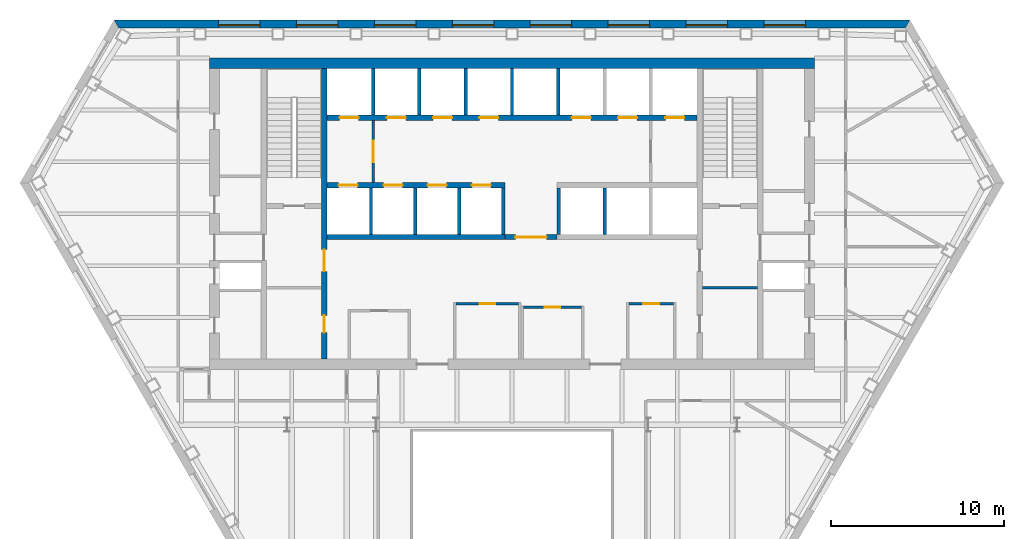
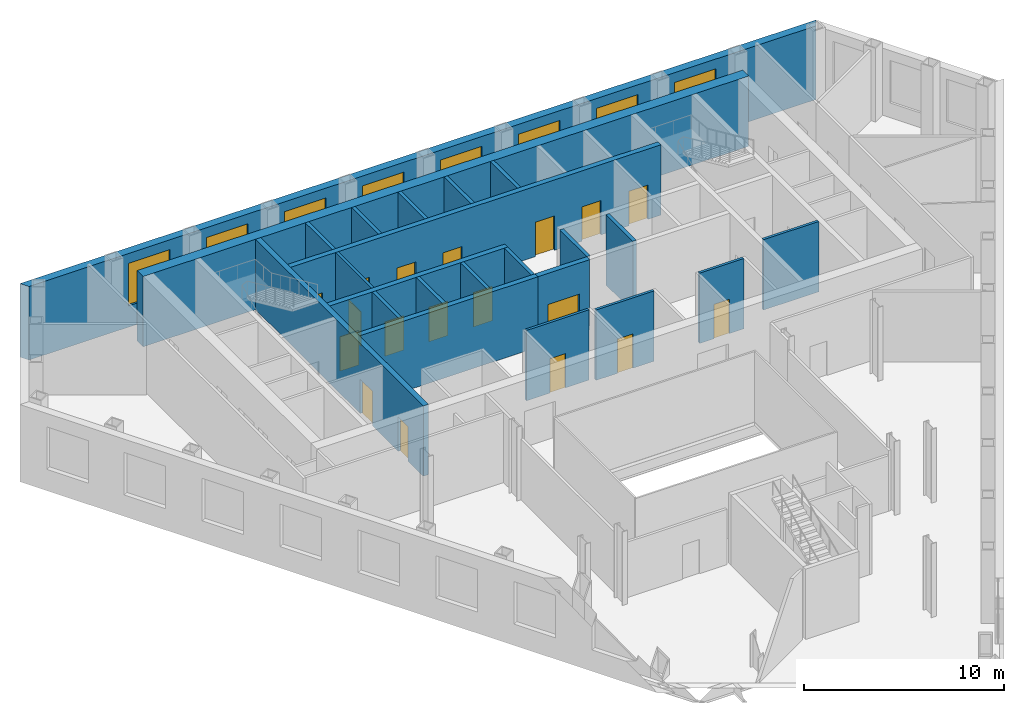
# One storey, part 6 of 10: 23 walls, 18 doors, 8 windows, 26 openings.
"""IFC4 building model written with IfcOpenShell, lengths in metres."""

from ifc_helpers import new_model, si_unit, direction, frame, frame_2d, origin, place, context, subcontext, project, spatial, polyline, rectangle, outline, extrude, material, layer, layer_set, type_object, element, fill, save


model = new_model("IFC4")

# Units and contexts
model_context = context("Model", 3, precision=1e-05, world=origin(), true_north=direction((0.0, 1.0)))
body_context = subcontext(model_context, "Body", "Model", "MODEL_VIEW")
ifc_project = project(units=[si_unit("LENGTHUNIT", "METRE"), si_unit("AREAUNIT", "SQUARE_METRE"), si_unit("VOLUMEUNIT", "CUBIC_METRE"), si_unit("PLANEANGLEUNIT", "RADIAN"), si_unit("MASSUNIT", "GRAM", prefix="KILO")], contexts=[model_context])

# Site, building, storey
site_placement = place(None, origin())
site = spatial("IfcSite", under=ifc_project, at=site_placement, CompositionType="ELEMENT")
building_placement = place(site_placement, origin())
building = spatial("IfcBuilding", under=site, at=building_placement, Name="Njiva Tower", CompositionType="ELEMENT")
storey_placement = place(building_placement, frame((0.0, 0.0, 73.8)))
storey = spatial("IfcBuildingStorey", under=building, at=storey_placement, Name="L15", CompositionType="ELEMENT", Elevation=73.8)

# Wall
ifc_material_1 = material(Name="Blockwork", Category="masonry")
ifc_layer_1 = layer(ifc_material_1, 0.15)
ifc_layer_set_1 = layer_set([ifc_layer_1], Name="Blockwork")
wall_type_1 = type_object("IfcWallType", Name="WT1 Compartment partition 150", PredefinedType="PARTITIONING", material=ifc_layer_set_1)
wall_1_placement = place(storey_placement, frame((11.0, 4.725, 0.0), z_axis=(0.0, 0.0, 1.0), x_axis=(1.0, 0.0, 0.0)))
element("IfcWall", 1, at=wall_1_placement, inside=storey, type_object=wall_type_1, Name="Room wall B", PredefinedType="PARTITIONING", context=body_context, shape_type="SweptSolid", body=[
    extrude(rectangle(XDim=3.2, YDim=0.15, at=frame_2d((1.6, 0.0))), origin(), (0.0, 0.0, 1.0), 4.3),
])

# Wall, opening, door
wall_2_placement = place(storey_placement, frame((-3.225, 3.8, 0.0), z_axis=(0.0, 0.0, 1.0), x_axis=(1.0, 0.0, 0.0)))
wall_2 = element("IfcWall", 2, at=wall_2_placement, inside=storey, type_object=wall_type_1, Name="Information office wall north", PredefinedType="PARTITIONING", context=body_context, shape_type="SweptSolid", body=[
    extrude(rectangle(XDim=3.6, YDim=0.15, at=frame_2d((1.8, 0.0))), origin(), (0.0, 0.0, 1.0), 4.3),
])
opening_1_placement = place(wall_2_placement, frame((1.35, 0.0, 0.0)))
opening_1 = element("IfcOpeningElement", 3, at=opening_1_placement, cuts=wall_2, Name="Opening S05-D933", PredefinedType="OPENING", context=body_context, shape_type="SweptSolid", body=[
    extrude(rectangle(XDim=0.9, YDim=2.1, at=frame_2d((0.45, 1.05))), frame((0.0, 0.085, 0.0), z_axis=(0.0, -1.0, 0.0), x_axis=(1.0, 0.0, 0.0)), (0.0, 0.0, 1.0), 0.17),
])
ifc_material_2 = material(Name="Steel fire door, painted", Category="steel")
door_type_1 = type_object("IfcDoorType", Name="D6 Fire-rated door 900x2100", OperationType="SINGLE_SWING_LEFT", PredefinedType="DOOR", material=ifc_material_2)
door_1_placement = place(opening_1_placement, origin())
door_1 = element("IfcDoor", 4, at=door_1_placement, inside=storey, type_object=door_type_1, Name="Information office door", OperationType="SINGLE_SWING_LEFT", OverallHeight=2.1, OverallWidth=0.9, PredefinedType="DOOR", context=body_context, shape_type="SweptSolid", body=[
    extrude(rectangle(XDim=0.9, YDim=2.1, at=frame_2d((0.45, 1.05))), frame((0.0, 0.025, 0.0), z_axis=(0.0, -1.0, 0.0), x_axis=(1.0, 0.0, 0.0)), (0.0, 0.0, 1.0), 0.05),
])
fill(opening_1, door_1)

wall_3_placement = place(storey_placement, frame((0.675, 3.6, 0.0), z_axis=(0.0, 0.0, 1.0), x_axis=(1.0, 0.0, 0.0)))
wall_3 = element("IfcWall", 5, at=wall_3_placement, inside=storey, type_object=wall_type_1, Name="Tenant reception wall north", PredefinedType="PARTITIONING", context=body_context, shape_type="SweptSolid", body=[
    extrude(rectangle(XDim=3.35, YDim=0.15, at=frame_2d((1.675, 0.0))), origin(), (0.0, 0.0, 1.0), 4.3),
])
opening_2_placement = place(wall_3_placement, frame((1.225, 0.0, 0.0)))
opening_2 = element("IfcOpeningElement", 6, at=opening_2_placement, cuts=wall_3, Name="Opening S05-D934", PredefinedType="OPENING", context=body_context, shape_type="SweptSolid", body=[
    extrude(rectangle(XDim=0.9, YDim=2.1, at=frame_2d((0.45, 1.05))), frame((0.0, 0.085, 0.0), z_axis=(0.0, -1.0, 0.0), x_axis=(1.0, 0.0, 0.0)), (0.0, 0.0, 1.0), 0.17),
])
door_2_placement = place(opening_2_placement, origin())
door_2 = element("IfcDoor", 7, at=door_2_placement, inside=storey, type_object=door_type_1, Name="Tenant reception door", OperationType="SINGLE_SWING_LEFT", OverallHeight=2.1, OverallWidth=0.9, PredefinedType="DOOR", context=body_context, shape_type="SweptSolid", body=[
    extrude(rectangle(XDim=0.9, YDim=2.1, at=frame_2d((0.45, 1.05))), frame((0.0, 0.025, 0.0), z_axis=(0.0, -1.0, 0.0), x_axis=(1.0, 0.0, 0.0)), (0.0, 0.0, 1.0), 0.05),
])
fill(opening_2, door_2)

wall_4_placement = place(storey_placement, frame((6.775, 3.8, 0.0), z_axis=(0.0, 0.0, 1.0), x_axis=(1.0, 0.0, 0.0)))
wall_4 = element("IfcWall", 8, at=wall_4_placement, inside=storey, type_object=wall_type_1, Name="Waiting room wall north", PredefinedType="PARTITIONING", context=body_context, shape_type="SweptSolid", body=[
    extrude(rectangle(XDim=2.55, YDim=0.15, at=frame_2d((1.275, 0.0))), origin(), (0.0, 0.0, 1.0), 4.3),
])
opening_3_placement = place(wall_4_placement, frame((0.825, 0.0, 0.0)))
opening_3 = element("IfcOpeningElement", 9, at=opening_3_placement, cuts=wall_4, Name="Opening S05-D935", PredefinedType="OPENING", context=body_context, shape_type="SweptSolid", body=[
    extrude(rectangle(XDim=0.9, YDim=2.1, at=frame_2d((0.45, 1.05))), frame((0.0, 0.085, 0.0), z_axis=(0.0, -1.0, 0.0), x_axis=(1.0, 0.0, 0.0)), (0.0, 0.0, 1.0), 0.17),
])
door_3_placement = place(opening_3_placement, origin())
door_3 = element("IfcDoor", 10, at=door_3_placement, inside=storey, type_object=door_type_1, Name="Waiting room door", OperationType="SINGLE_SWING_RIGHT", OverallHeight=2.1, OverallWidth=0.9, PredefinedType="DOOR", context=body_context, shape_type="SweptSolid", body=[
    extrude(rectangle(XDim=0.9, YDim=2.1, at=frame_2d((0.45, 1.05))), frame((0.0, 0.025, 0.0), z_axis=(0.0, -1.0, 0.0), x_axis=(1.0, 0.0, 0.0)), (0.0, 0.0, 1.0), 0.05),
])
fill(opening_3, door_3)

# Wall, openings, doors
ifc_material_3 = material(Name="Concrete C40/50", Category="concrete")
ifc_layer_2 = layer(ifc_material_3, 0.3)
ifc_layer_set_2 = layer_set([ifc_layer_2], Name="Concrete C40/50")
wall_type_2 = type_object("IfcWallType", Name="WT10 Stair enclosure wall 300", PredefinedType="SHEAR", material=ifc_layer_set_2)
wall_5_placement = place(storey_placement, frame((-10.85, 0.6, 0.0), z_axis=(0.0, 0.0, 1.0), x_axis=(0.0, 1.0, 0.0)))
wall_5 = element("IfcWall", 11, at=wall_5_placement, inside=storey, type_object=wall_type_2, Name="Stair wall west inner", PredefinedType="SHEAR", context=body_context, shape_type="SweptSolid", body=[
    extrude(rectangle(XDim=16.8, YDim=0.3, at=frame_2d((8.4, 0.0))), origin(), (0.0, 0.0, 1.0), 4.3),
])
opening_4_placement = place(wall_5_placement, frame((5.075, 0.0, 0.0)))
opening_4 = element("IfcOpeningElement", 12, at=opening_4_placement, cuts=wall_5, Name="Opening S05-D914", PredefinedType="OPENING", context=body_context, shape_type="SweptSolid", body=[
    extrude(rectangle(XDim=1.25, YDim=2.1, at=frame_2d((0.625, 1.05))), frame((0.0, 0.16, 0.0), z_axis=(0.0, -1.0, 0.0), x_axis=(1.0, 0.0, 0.0)), (0.0, 0.0, 1.0), 0.32),
])
opening_5_placement = place(wall_5_placement, frame((1.525, 0.0, 0.0)))
opening_5 = element("IfcOpeningElement", 13, at=opening_5_placement, cuts=wall_5, Name="Opening S05-D915", PredefinedType="OPENING", context=body_context, shape_type="SweptSolid", body=[
    extrude(rectangle(XDim=1.0, YDim=2.1, at=frame_2d((0.5, 1.05))), frame((0.0, 0.16, 0.0), z_axis=(0.0, -1.0, 0.0), x_axis=(1.0, 0.0, 0.0)), (0.0, 0.0, 1.0), 0.32),
])
ifc_material_4 = material(Name="Steel door, painted", Category="steel")
door_type_2 = type_object("IfcDoorType", Name="D5 Steel door 1000x2100", OperationType="SINGLE_SWING_LEFT", PredefinedType="DOOR", material=ifc_material_4)
door_4_placement = place(opening_5_placement, origin())
door_4 = element("IfcDoor", 14, at=door_4_placement, inside=storey, type_object=door_type_2, Name="Breakout room door", OperationType="SINGLE_SWING_RIGHT", OverallHeight=2.1, OverallWidth=1.0, PredefinedType="DOOR", context=body_context, shape_type="SweptSolid", body=[
    extrude(rectangle(XDim=1.0, YDim=2.1, at=frame_2d((0.5, 1.05))), frame((0.0, 0.025, 0.0), z_axis=(0.0, -1.0, 0.0), x_axis=(1.0, 0.0, 0.0)), (0.0, 0.0, 1.0), 0.05),
])
fill(opening_5, door_4)
ifc_material_5 = material(Name="Glazed steel fire door", Category="steel")
door_type_3 = type_object("IfcDoorType", Name="D8 Vestibule corridor door 1250x2100 glazed", OperationType="SINGLE_SWING_LEFT", PredefinedType="DOOR", material=ifc_material_5)
door_5_placement = place(opening_4_placement, origin())
door_5 = element("IfcDoor", 15, at=door_5_placement, inside=storey, type_object=door_type_3, Name="Stair vestibule corridor door", OperationType="SINGLE_SWING_LEFT", OverallHeight=2.1, OverallWidth=1.25, PredefinedType="DOOR", context=body_context, shape_type="SweptSolid", body=[
    extrude(rectangle(XDim=1.25, YDim=2.1, at=frame_2d((0.625, 1.05))), frame((0.0, 0.025, 0.0), z_axis=(0.0, -1.0, 0.0), x_axis=(1.0, 0.0, 0.0)), (0.0, 0.0, 1.0), 0.05),
])
fill(opening_4, door_5)

# Wall
ifc_material_6 = material(Name="Concrete C60/75", Category="concrete")
ifc_layer_3 = layer(ifc_material_6, 0.6)
ifc_layer_set_3 = layer_set([ifc_layer_3], Name="Concrete C60/75")
wall_type_3 = type_object("IfcWallType", Name="WT15 Core wall 600", PredefinedType="SHEAR", material=ifc_layer_set_3)
wall_6_placement = place(storey_placement, frame((-17.5, 17.7, 0.0), z_axis=(0.0, 0.0, 1.0), x_axis=(1.0, 0.0, 0.0)))
element("IfcWall", 16, at=wall_6_placement, inside=storey, type_object=wall_type_3, Name="Core wall north", PredefinedType="SHEAR", context=body_context, shape_type="SweptSolid", body=[
    extrude(rectangle(XDim=35.0, YDim=0.6, at=frame_2d((17.5, 0.0))), origin(), (0.0, 0.0, 1.0), 4.3),
])

# Wall, opening, door
ifc_layer_4 = layer(ifc_material_1, 0.15)
ifc_layer_set_4 = layer_set([ifc_layer_4], Name="Blockwork")
wall_type_4 = type_object("IfcWallType", Name="WT2 Lobby partition 150", PredefinedType="PARTITIONING", material=ifc_layer_set_4)
wall_7_placement = place(storey_placement, frame((-8.025, 10.8, 0.0), z_axis=(0.0, 0.0, 1.0), x_axis=(0.0, 1.0, 0.0)))
wall_7 = element("IfcWall", 17, at=wall_7_placement, inside=storey, type_object=wall_type_4, Name="Firefighting lobby wall A", PredefinedType="PARTITIONING", context=body_context, shape_type="SweptSolid", body=[
    extrude(rectangle(XDim=3.6, YDim=0.15, at=frame_2d((1.8, 0.0))), origin(), (0.0, 0.0, 1.0), 4.3),
])
opening_6_placement = place(wall_7_placement, frame((1.175, 0.0, 0.0)))
opening_6 = element("IfcOpeningElement", 18, at=opening_6_placement, cuts=wall_7, Name="Opening S05-D912", PredefinedType="OPENING", context=body_context, shape_type="SweptSolid", body=[
    extrude(rectangle(XDim=1.25, YDim=2.1, at=frame_2d((0.625, 1.05))), frame((0.0, 0.085, 0.0), z_axis=(0.0, -1.0, 0.0), x_axis=(1.0, 0.0, 0.0)), (0.0, 0.0, 1.0), 0.17),
])
door_6_placement = place(opening_6_placement, origin())
door_6 = element("IfcDoor", 19, at=door_6_placement, inside=storey, type_object=door_type_3, Name="Stair vestibule corridor door", OperationType="SINGLE_SWING_RIGHT", OverallHeight=2.1, OverallWidth=1.25, PredefinedType="DOOR", context=body_context, shape_type="SweptSolid", body=[
    extrude(rectangle(XDim=1.25, YDim=2.1, at=frame_2d((0.625, 1.05))), frame((0.0, 0.025, 0.0), z_axis=(0.0, -1.0, 0.0), x_axis=(1.0, 0.0, 0.0)), (0.0, 0.0, 1.0), 0.05),
])
fill(opening_6, door_6)

ifc_layer_5 = layer(ifc_material_1, 0.3)
ifc_layer_set_5 = layer_set([ifc_layer_5], Name="Blockwork")
wall_type_5 = type_object("IfcWallType", Name="WT5 Lobby partition 300", PredefinedType="PARTITIONING", material=ifc_layer_set_5)
wall_8_placement = place(storey_placement, frame((-0.4, 7.65, 0.0), z_axis=(0.0, 0.0, 1.0), x_axis=(1.0, 0.0, 0.0)))
wall_8 = element("IfcWall", 20, at=wall_8_placement, inside=storey, type_object=wall_type_5, Name="Lift lobby screen wall", PredefinedType="PARTITIONING", context=body_context, shape_type="SweptSolid", body=[
    extrude(rectangle(XDim=3.0, YDim=0.3, at=frame_2d((1.5, 0.0))), origin(), (0.0, 0.0, 1.0), 4.3),
])
opening_7_placement = place(wall_8_placement, frame((0.6, 0.0, 0.0)))
opening_7 = element("IfcOpeningElement", 21, at=opening_7_placement, cuts=wall_8, Name="Opening S05-D936", PredefinedType="OPENING", context=body_context, shape_type="SweptSolid", body=[
    extrude(rectangle(XDim=1.8, YDim=2.4, at=frame_2d((0.9, 1.2))), frame((0.0, 0.16, 0.0), z_axis=(0.0, -1.0, 0.0), x_axis=(1.0, 0.0, 0.0)), (0.0, 0.0, 1.0), 0.32),
])
ifc_material_7 = material(Name="Steel and glass door", Category="steel")
door_type_4 = type_object("IfcDoorType", Name="D3 Core entrance door 1800x2400", OperationType="DOUBLE_DOOR_SINGLE_SWING", PredefinedType="DOOR", material=ifc_material_7)
door_7_placement = place(opening_7_placement, origin())
door_7 = element("IfcDoor", 22, at=door_7_placement, inside=storey, type_object=door_type_4, Name="Core entrance door", OperationType="DOUBLE_DOOR_SINGLE_SWING", OverallHeight=2.4, OverallWidth=1.8, PredefinedType="DOOR", context=body_context, shape_type="SweptSolid", body=[
    extrude(rectangle(XDim=1.8, YDim=2.4, at=frame_2d((0.9, 1.2))), frame((0.0, 0.025, 0.0), z_axis=(0.0, -1.0, 0.0), x_axis=(1.0, 0.0, 0.0)), (0.0, 0.0, 1.0), 0.05),
])
fill(opening_7, door_7)

# Walls
ifc_layer_6 = layer(ifc_material_3, 0.2)
ifc_layer_set_6 = layer_set([ifc_layer_6], Name="Concrete C40/50")
wall_type_6 = type_object("IfcWallType", Name="WT6 Lift shaft wall 200", PredefinedType="SHEAR", material=ifc_layer_set_6)
for number, where, z_axis, x_axis, name in (
    (23, (-8.025, 14.7, 0.0), (0.0, 0.0, 1.0), (0.0, 1.0, 0.0), "Shaft wall CN1"),
    (24, (-5.35, 14.7, 0.0), (0.0, 0.0, 1.0), (0.0, 1.0, 0.0), "Shaft wall CN2"),
    (25, (-2.675, 14.7, 0.0), (0.0, 0.0, 1.0), (0.0, 1.0, 0.0), "Shaft wall CN3"),
    (26, (0.0, 14.7, 0.0), (0.0, 0.0, 1.0), (0.0, 1.0, 0.0), "Shaft wall CN4"),
    (27, (2.675, 14.7, 0.0), (0.0, 0.0, 1.0), (0.0, 1.0, 0.0), "Shaft wall CN5"),
    (28, (-8.15, 7.8, 0.0), (0.0, 0.0, 1.0), (0.0, 1.0, 0.0), "Shaft wall CS1"),
    (29, (-5.6, 7.8, 0.0), (0.0, 0.0, 1.0), (0.0, 1.0, 0.0), "Shaft wall CS2"),
    (30, (-3.05, 7.8, 0.0), (0.0, 0.0, 1.0), (0.0, 1.0, 0.0), "Shaft wall CS3"),
    (31, (-0.5, 7.8, 0.0), (0.0, 0.0, 1.0), (0.0, 1.0, 0.0), "Shaft wall CS4"),
    (32, (2.7, 7.8, 0.0), (0.0, 0.0, 1.0), (0.0, 1.0, 0.0), "Shaft wall CS5"),
    (33, (5.3667, 7.8, 0.0), (0.0, 0.0, 1.0), (0.0, 1.0, 0.0), "Shaft wall CS6"),
):
    element("IfcWall", number, at=place(storey_placement, frame(where, z_axis=z_axis, x_axis=x_axis)), inside=storey, type_object=wall_type_6, Name=name, PredefinedType="SHEAR", context=body_context, shape_type="SweptSolid", body=[
        extrude(rectangle(XDim=2.7, YDim=0.2, at=frame_2d((1.35, 0.0))), origin(), (0.0, 0.0, 1.0), 4.3),
    ])

# Wall, openings, doors
ifc_layer_7 = layer(ifc_material_3, 0.3)
ifc_layer_set_7 = layer_set([ifc_layer_7], Name="Concrete C40/50")
wall_type_7 = type_object("IfcWallType", Name="WT7 Lift shaft wall 300", PredefinedType="SHEAR", material=ifc_layer_set_7)
wall_9_placement = place(storey_placement, frame((-10.7, 14.55, 0.0), z_axis=(0.0, 0.0, 1.0), x_axis=(1.0, 0.0, 0.0)))
wall_9 = element("IfcWall", 34, at=wall_9_placement, inside=storey, type_object=wall_type_7, Name="Shaft wall north row lobby side", PredefinedType="SHEAR", context=body_context, shape_type="SweptSolid", body=[
    extrude(rectangle(XDim=21.4, YDim=0.3, at=frame_2d((10.7, 0.0))), origin(), (0.0, 0.0, 1.0), 4.3),
])
opening_8_placement = place(wall_9_placement, frame((0.7375, 0.0, 0.0)))
opening_8 = element("IfcOpeningElement", 35, at=opening_8_placement, cuts=wall_9, Name="Opening S05-D901", PredefinedType="OPENING", context=body_context, shape_type="SweptSolid", body=[
    extrude(rectangle(XDim=1.1, YDim=2.1, at=frame_2d((0.55, 1.05))), frame((0.0, 0.16, 0.0), z_axis=(0.0, -1.0, 0.0), x_axis=(1.0, 0.0, 0.0)), (0.0, 0.0, 1.0), 0.32),
])
opening_9_placement = place(wall_9_placement, frame((3.4625, 0.0, 0.0)))
opening_9 = element("IfcOpeningElement", 36, at=opening_9_placement, cuts=wall_9, Name="Opening S05-D902", PredefinedType="OPENING", context=body_context, shape_type="SweptSolid", body=[
    extrude(rectangle(XDim=1.1, YDim=2.1, at=frame_2d((0.55, 1.05))), frame((0.0, 0.16, 0.0), z_axis=(0.0, -1.0, 0.0), x_axis=(1.0, 0.0, 0.0)), (0.0, 0.0, 1.0), 0.32),
])
opening_10_placement = place(wall_9_placement, frame((6.1375, 0.0, 0.0)))
opening_10 = element("IfcOpeningElement", 37, at=opening_10_placement, cuts=wall_9, Name="Opening S05-D903", PredefinedType="OPENING", context=body_context, shape_type="SweptSolid", body=[
    extrude(rectangle(XDim=1.1, YDim=2.1, at=frame_2d((0.55, 1.05))), frame((0.0, 0.16, 0.0), z_axis=(0.0, -1.0, 0.0), x_axis=(1.0, 0.0, 0.0)), (0.0, 0.0, 1.0), 0.32),
])
opening_11_placement = place(wall_9_placement, frame((8.8125, 0.0, 0.0)))
opening_11 = element("IfcOpeningElement", 38, at=opening_11_placement, cuts=wall_9, Name="Opening S05-D904", PredefinedType="OPENING", context=body_context, shape_type="SweptSolid", body=[
    extrude(rectangle(XDim=1.1, YDim=2.1, at=frame_2d((0.55, 1.05))), frame((0.0, 0.16, 0.0), z_axis=(0.0, -1.0, 0.0), x_axis=(1.0, 0.0, 0.0)), (0.0, 0.0, 1.0), 0.32),
])
opening_12_placement = place(wall_9_placement, frame((14.1625, 0.0, 0.0)))
opening_12 = element("IfcOpeningElement", 39, at=opening_12_placement, cuts=wall_9, Name="Opening S05-D905", PredefinedType="OPENING", context=body_context, shape_type="SweptSolid", body=[
    extrude(rectangle(XDim=1.1, YDim=2.1, at=frame_2d((0.55, 1.05))), frame((0.0, 0.16, 0.0), z_axis=(0.0, -1.0, 0.0), x_axis=(1.0, 0.0, 0.0)), (0.0, 0.0, 1.0), 0.32),
])
opening_13_placement = place(wall_9_placement, frame((16.8375, 0.0, 0.0)))
opening_13 = element("IfcOpeningElement", 40, at=opening_13_placement, cuts=wall_9, Name="Opening S05-D906", PredefinedType="OPENING", context=body_context, shape_type="SweptSolid", body=[
    extrude(rectangle(XDim=1.1, YDim=2.1, at=frame_2d((0.55, 1.05))), frame((0.0, 0.16, 0.0), z_axis=(0.0, -1.0, 0.0), x_axis=(1.0, 0.0, 0.0)), (0.0, 0.0, 1.0), 0.32),
])
opening_14_placement = place(wall_9_placement, frame((19.5625, 0.0, 0.0)))
opening_14 = element("IfcOpeningElement", 41, at=opening_14_placement, cuts=wall_9, Name="Opening S05-D907", PredefinedType="OPENING", context=body_context, shape_type="SweptSolid", body=[
    extrude(rectangle(XDim=1.1, YDim=2.1, at=frame_2d((0.55, 1.05))), frame((0.0, 0.16, 0.0), z_axis=(0.0, -1.0, 0.0), x_axis=(1.0, 0.0, 0.0)), (0.0, 0.0, 1.0), 0.32),
])
ifc_material_8 = material(Name="Stainless steel sliding door", Category="steel")
door_type_5 = type_object("IfcDoorType", Name="LD Lift landing door 1100x2100", OperationType="SLIDING_TO_LEFT", PredefinedType="DOOR", material=ifc_material_8)
door_8_placement = place(opening_8_placement, origin())
door_8 = element("IfcDoor", 42, at=door_8_placement, inside=storey, type_object=door_type_5, Name="Lift landing door FF1", OperationType="SLIDING_TO_LEFT", OverallHeight=2.1, OverallWidth=1.1, PredefinedType="DOOR", context=body_context, shape_type="SweptSolid", body=[
    extrude(rectangle(XDim=1.1, YDim=2.1, at=frame_2d((0.55, 1.05))), frame((0.0, 0.025, 0.0), z_axis=(0.0, -1.0, 0.0), x_axis=(1.0, 0.0, 0.0)), (0.0, 0.0, 1.0), 0.05),
])
fill(opening_8, door_8)
door_9_placement = place(opening_9_placement, origin())
door_9 = element("IfcDoor", 43, at=door_9_placement, inside=storey, type_object=door_type_5, Name="Lift landing door LB1", OperationType="SLIDING_TO_LEFT", OverallHeight=2.1, OverallWidth=1.1, PredefinedType="DOOR", context=body_context, shape_type="SweptSolid", body=[
    extrude(rectangle(XDim=1.1, YDim=2.1, at=frame_2d((0.55, 1.05))), frame((0.0, 0.025, 0.0), z_axis=(0.0, -1.0, 0.0), x_axis=(1.0, 0.0, 0.0)), (0.0, 0.0, 1.0), 0.05),
])
fill(opening_9, door_9)
door_10_placement = place(opening_10_placement, origin())
door_10 = element("IfcDoor", 44, at=door_10_placement, inside=storey, type_object=door_type_5, Name="Lift landing door LB2", OperationType="SLIDING_TO_LEFT", OverallHeight=2.1, OverallWidth=1.1, PredefinedType="DOOR", context=body_context, shape_type="SweptSolid", body=[
    extrude(rectangle(XDim=1.1, YDim=2.1, at=frame_2d((0.55, 1.05))), frame((0.0, 0.025, 0.0), z_axis=(0.0, -1.0, 0.0), x_axis=(1.0, 0.0, 0.0)), (0.0, 0.0, 1.0), 0.05),
])
fill(opening_10, door_10)
door_11_placement = place(opening_11_placement, origin())
door_11 = element("IfcDoor", 45, at=door_11_placement, inside=storey, type_object=door_type_5, Name="Lift landing door LB3", OperationType="SLIDING_TO_LEFT", OverallHeight=2.1, OverallWidth=1.1, PredefinedType="DOOR", context=body_context, shape_type="SweptSolid", body=[
    extrude(rectangle(XDim=1.1, YDim=2.1, at=frame_2d((0.55, 1.05))), frame((0.0, 0.025, 0.0), z_axis=(0.0, -1.0, 0.0), x_axis=(1.0, 0.0, 0.0)), (0.0, 0.0, 1.0), 0.05),
])
fill(opening_11, door_11)
door_12_placement = place(opening_12_placement, origin())
door_12 = element("IfcDoor", 46, at=door_12_placement, inside=storey, type_object=door_type_5, Name="Lift landing door FR1", OperationType="SLIDING_TO_LEFT", OverallHeight=2.1, OverallWidth=1.1, PredefinedType="DOOR", context=body_context, shape_type="SweptSolid", body=[
    extrude(rectangle(XDim=1.1, YDim=2.1, at=frame_2d((0.55, 1.05))), frame((0.0, 0.025, 0.0), z_axis=(0.0, -1.0, 0.0), x_axis=(1.0, 0.0, 0.0)), (0.0, 0.0, 1.0), 0.05),
])
fill(opening_12, door_12)
door_13_placement = place(opening_13_placement, origin())
door_13 = element("IfcDoor", 47, at=door_13_placement, inside=storey, type_object=door_type_5, Name="Lift landing door FR2", OperationType="SLIDING_TO_LEFT", OverallHeight=2.1, OverallWidth=1.1, PredefinedType="DOOR", context=body_context, shape_type="SweptSolid", body=[
    extrude(rectangle(XDim=1.1, YDim=2.1, at=frame_2d((0.55, 1.05))), frame((0.0, 0.025, 0.0), z_axis=(0.0, -1.0, 0.0), x_axis=(1.0, 0.0, 0.0)), (0.0, 0.0, 1.0), 0.05),
])
fill(opening_13, door_13)
door_14_placement = place(opening_14_placement, origin())
door_14 = element("IfcDoor", 48, at=door_14_placement, inside=storey, type_object=door_type_5, Name="Lift landing door FF2", OperationType="SLIDING_TO_LEFT", OverallHeight=2.1, OverallWidth=1.1, PredefinedType="DOOR", context=body_context, shape_type="SweptSolid", body=[
    extrude(rectangle(XDim=1.1, YDim=2.1, at=frame_2d((0.55, 1.05))), frame((0.0, 0.025, 0.0), z_axis=(0.0, -1.0, 0.0), x_axis=(1.0, 0.0, 0.0)), (0.0, 0.0, 1.0), 0.05),
])
fill(opening_14, door_14)

wall_10_placement = place(storey_placement, frame((-10.7, 10.65, 0.0), z_axis=(0.0, 0.0, 1.0), x_axis=(1.0, 0.0, 0.0)))
wall_10 = element("IfcWall", 49, at=wall_10_placement, inside=storey, type_object=wall_type_7, Name="Shaft wall south row lobby side W", PredefinedType="SHEAR", context=body_context, shape_type="SweptSolid", body=[
    extrude(rectangle(XDim=10.3, YDim=0.3, at=frame_2d((5.15, 0.0))), origin(), (0.0, 0.0, 1.0), 4.3),
])
opening_15_placement = place(wall_10_placement, frame((0.675, 0.0, 0.0)))
opening_15 = element("IfcOpeningElement", 50, at=opening_15_placement, cuts=wall_10, Name="Opening S05-D908", PredefinedType="OPENING", context=body_context, shape_type="SweptSolid", body=[
    extrude(rectangle(XDim=1.1, YDim=2.1, at=frame_2d((0.55, 1.05))), frame((0.0, 0.16, 0.0), z_axis=(0.0, -1.0, 0.0), x_axis=(1.0, 0.0, 0.0)), (0.0, 0.0, 1.0), 0.32),
])
opening_16_placement = place(wall_10_placement, frame((3.275, 0.0, 0.0)))
opening_16 = element("IfcOpeningElement", 51, at=opening_16_placement, cuts=wall_10, Name="Opening S05-D909", PredefinedType="OPENING", context=body_context, shape_type="SweptSolid", body=[
    extrude(rectangle(XDim=1.1, YDim=2.1, at=frame_2d((0.55, 1.05))), frame((0.0, 0.16, 0.0), z_axis=(0.0, -1.0, 0.0), x_axis=(1.0, 0.0, 0.0)), (0.0, 0.0, 1.0), 0.32),
])
opening_17_placement = place(wall_10_placement, frame((5.825, 0.0, 0.0)))
opening_17 = element("IfcOpeningElement", 52, at=opening_17_placement, cuts=wall_10, Name="Opening S05-D910", PredefinedType="OPENING", context=body_context, shape_type="SweptSolid", body=[
    extrude(rectangle(XDim=1.1, YDim=2.1, at=frame_2d((0.55, 1.05))), frame((0.0, 0.16, 0.0), z_axis=(0.0, -1.0, 0.0), x_axis=(1.0, 0.0, 0.0)), (0.0, 0.0, 1.0), 0.32),
])
opening_18_placement = place(wall_10_placement, frame((8.375, 0.0, 0.0)))
opening_18 = element("IfcOpeningElement", 53, at=opening_18_placement, cuts=wall_10, Name="Opening S05-D911", PredefinedType="OPENING", context=body_context, shape_type="SweptSolid", body=[
    extrude(rectangle(XDim=1.1, YDim=2.1, at=frame_2d((0.55, 1.05))), frame((0.0, 0.16, 0.0), z_axis=(0.0, -1.0, 0.0), x_axis=(1.0, 0.0, 0.0)), (0.0, 0.0, 1.0), 0.32),
])
door_15_placement = place(opening_15_placement, origin())
door_15 = element("IfcDoor", 54, at=door_15_placement, inside=storey, type_object=door_type_5, Name="Lift landing door LB4", OperationType="SLIDING_TO_LEFT", OverallHeight=2.1, OverallWidth=1.1, PredefinedType="DOOR", context=body_context, shape_type="SweptSolid", body=[
    extrude(rectangle(XDim=1.1, YDim=2.1, at=frame_2d((0.55, 1.05))), frame((0.0, 0.025, 0.0), z_axis=(0.0, -1.0, 0.0), x_axis=(1.0, 0.0, 0.0)), (0.0, 0.0, 1.0), 0.05),
])
fill(opening_15, door_15)
door_16_placement = place(opening_16_placement, origin())
door_16 = element("IfcDoor", 55, at=door_16_placement, inside=storey, type_object=door_type_5, Name="Lift landing door LB5", OperationType="SLIDING_TO_LEFT", OverallHeight=2.1, OverallWidth=1.1, PredefinedType="DOOR", context=body_context, shape_type="SweptSolid", body=[
    extrude(rectangle(XDim=1.1, YDim=2.1, at=frame_2d((0.55, 1.05))), frame((0.0, 0.025, 0.0), z_axis=(0.0, -1.0, 0.0), x_axis=(1.0, 0.0, 0.0)), (0.0, 0.0, 1.0), 0.05),
])
fill(opening_16, door_16)
door_17_placement = place(opening_17_placement, origin())
door_17 = element("IfcDoor", 56, at=door_17_placement, inside=storey, type_object=door_type_5, Name="Lift landing door LB6", OperationType="SLIDING_TO_LEFT", OverallHeight=2.1, OverallWidth=1.1, PredefinedType="DOOR", context=body_context, shape_type="SweptSolid", body=[
    extrude(rectangle(XDim=1.1, YDim=2.1, at=frame_2d((0.55, 1.05))), frame((0.0, 0.025, 0.0), z_axis=(0.0, -1.0, 0.0), x_axis=(1.0, 0.0, 0.0)), (0.0, 0.0, 1.0), 0.05),
])
fill(opening_17, door_17)
door_18_placement = place(opening_18_placement, origin())
door_18 = element("IfcDoor", 57, at=door_18_placement, inside=storey, type_object=door_type_5, Name="Lift landing door LB7", OperationType="SLIDING_TO_LEFT", OverallHeight=2.1, OverallWidth=1.1, PredefinedType="DOOR", context=body_context, shape_type="SweptSolid", body=[
    extrude(rectangle(XDim=1.1, YDim=2.1, at=frame_2d((0.55, 1.05))), frame((0.0, 0.025, 0.0), z_axis=(0.0, -1.0, 0.0), x_axis=(1.0, 0.0, 0.0)), (0.0, 0.0, 1.0), 0.05),
])
fill(opening_18, door_18)

# Wall
wall_11_placement = place(storey_placement, frame((-10.7, 7.65, 0.0), z_axis=(0.0, 0.0, 1.0), x_axis=(1.0, 0.0, 0.0)))
element("IfcWall", 58, at=wall_11_placement, inside=storey, type_object=wall_type_7, Name="Shaft wall south row back W", PredefinedType="SHEAR", context=body_context, shape_type="SweptSolid", body=[
    extrude(rectangle(XDim=10.3, YDim=0.3, at=frame_2d((5.15, 0.0))), origin(), (0.0, 0.0, 1.0), 4.3),
])

# Wall, openings, windows
ifc_material_9 = material(Name="Brick masonry", Category="masonry")
ifc_layer_8 = layer(ifc_material_9, 0.45)
ifc_layer_set_8 = layer_set([ifc_layer_8], Name="Brick masonry")
wall_type_8 = type_object("IfcWallType", Name="WT90 Brick pier and spandrel wall 450", PredefinedType="SOLIDWALL", material=ifc_layer_set_8)
wall_12_placement = place(storey_placement, frame((22.8701, 19.975, -0.4), z_axis=(0.0, 0.0, 1.0), x_axis=(-1.0, 0.0, 0.0)))
wall_12 = element("IfcWall", 59, at=wall_12_placement, inside=storey, type_object=wall_type_8, Name="Facade wall N", PredefinedType="SOLIDWALL", context=body_context, shape_type="SweptSolid", body=[
    extrude(outline(polyline([(-0.1299, -0.225), (45.8701, -0.225), (45.6103, 0.225), (0.1299, 0.225), (-0.1299, -0.225)])), origin(), (0.0, 0.0, 1.0), 4.5),
])
opening_19_placement = place(wall_12_placement, frame((5.8934, 0.0, 1.3)))
opening_19 = element("IfcOpeningElement", 60, at=opening_19_placement, cuts=wall_12, Name="Opening S05-W01", PredefinedType="OPENING", context=body_context, shape_type="SweptSolid", body=[
    extrude(rectangle(XDim=2.4, YDim=2.6, at=frame_2d((1.2, 1.3))), frame((0.0, 0.235, 0.0), z_axis=(0.0, -1.0, 0.0), x_axis=(1.0, 0.0, 0.0)), (0.0, 0.0, 1.0), 0.47),
])
opening_20_placement = place(wall_12_placement, frame((10.401, 0.0, 1.3)))
opening_20 = element("IfcOpeningElement", 61, at=opening_20_placement, cuts=wall_12, Name="Opening S05-W02", PredefinedType="OPENING", context=body_context, shape_type="SweptSolid", body=[
    extrude(rectangle(XDim=2.4, YDim=2.6, at=frame_2d((1.2, 1.3))), frame((0.0, 0.235, 0.0), z_axis=(0.0, -1.0, 0.0), x_axis=(1.0, 0.0, 0.0)), (0.0, 0.0, 1.0), 0.47),
])
opening_21_placement = place(wall_12_placement, frame((14.9087, 0.0, 1.3)))
opening_21 = element("IfcOpeningElement", 62, at=opening_21_placement, cuts=wall_12, Name="Opening S05-W03", PredefinedType="OPENING", context=body_context, shape_type="SweptSolid", body=[
    extrude(rectangle(XDim=2.4, YDim=2.6, at=frame_2d((1.2, 1.3))), frame((0.0, 0.235, 0.0), z_axis=(0.0, -1.0, 0.0), x_axis=(1.0, 0.0, 0.0)), (0.0, 0.0, 1.0), 0.47),
])
opening_22_placement = place(wall_12_placement, frame((19.4163, 0.0, 1.3)))
opening_22 = element("IfcOpeningElement", 63, at=opening_22_placement, cuts=wall_12, Name="Opening S05-W04", PredefinedType="OPENING", context=body_context, shape_type="SweptSolid", body=[
    extrude(rectangle(XDim=2.4, YDim=2.6, at=frame_2d((1.2, 1.3))), frame((0.0, 0.235, 0.0), z_axis=(0.0, -1.0, 0.0), x_axis=(1.0, 0.0, 0.0)), (0.0, 0.0, 1.0), 0.47),
])
opening_23_placement = place(wall_12_placement, frame((23.9239, 0.0, 1.3)))
opening_23 = element("IfcOpeningElement", 64, at=opening_23_placement, cuts=wall_12, Name="Opening S05-W05", PredefinedType="OPENING", context=body_context, shape_type="SweptSolid", body=[
    extrude(rectangle(XDim=2.4, YDim=2.6, at=frame_2d((1.2, 1.3))), frame((0.0, 0.235, 0.0), z_axis=(0.0, -1.0, 0.0), x_axis=(1.0, 0.0, 0.0)), (0.0, 0.0, 1.0), 0.47),
])
opening_24_placement = place(wall_12_placement, frame((28.4315, 0.0, 1.3)))
opening_24 = element("IfcOpeningElement", 65, at=opening_24_placement, cuts=wall_12, Name="Opening S05-W06", PredefinedType="OPENING", context=body_context, shape_type="SweptSolid", body=[
    extrude(rectangle(XDim=2.4, YDim=2.6, at=frame_2d((1.2, 1.3))), frame((0.0, 0.235, 0.0), z_axis=(0.0, -1.0, 0.0), x_axis=(1.0, 0.0, 0.0)), (0.0, 0.0, 1.0), 0.47),
])
opening_25_placement = place(wall_12_placement, frame((32.9391, 0.0, 1.3)))
opening_25 = element("IfcOpeningElement", 66, at=opening_25_placement, cuts=wall_12, Name="Opening S05-W07", PredefinedType="OPENING", context=body_context, shape_type="SweptSolid", body=[
    extrude(rectangle(XDim=2.4, YDim=2.6, at=frame_2d((1.2, 1.3))), frame((0.0, 0.235, 0.0), z_axis=(0.0, -1.0, 0.0), x_axis=(1.0, 0.0, 0.0)), (0.0, 0.0, 1.0), 0.47),
])
opening_26_placement = place(wall_12_placement, frame((37.4468, 0.0, 1.3)))
opening_26 = element("IfcOpeningElement", 67, at=opening_26_placement, cuts=wall_12, Name="Opening S05-W08", PredefinedType="OPENING", context=body_context, shape_type="SweptSolid", body=[
    extrude(rectangle(XDim=2.4, YDim=2.6, at=frame_2d((1.2, 1.3))), frame((0.0, 0.235, 0.0), z_axis=(0.0, -1.0, 0.0), x_axis=(1.0, 0.0, 0.0)), (0.0, 0.0, 1.0), 0.47),
])
ifc_material_10 = material(Name="Clear glazing in aluminium frame", Category="aluminium")
window_type = type_object("IfcWindowType", Name="W92 Deep-set window 2400x2600", PartitioningType="SINGLE_PANEL", PredefinedType="WINDOW", material=ifc_material_10)
window_1_placement = place(opening_19_placement, origin())
window_1 = element("IfcWindow", 68, at=window_1_placement, inside=storey, type_object=window_type, Name="Window", OverallHeight=2.6, OverallWidth=2.4, PartitioningType="SINGLE_PANEL", PredefinedType="WINDOW", context=body_context, shape_type="SweptSolid", body=[
    extrude(rectangle(XDim=2.4, YDim=2.6, at=frame_2d((1.2, 1.3))), frame((0.0, 0.105, 0.0), z_axis=(0.0, -1.0, 0.0), x_axis=(1.0, 0.0, 0.0)), (0.0, 0.0, 1.0), 0.06),
])
fill(opening_19, window_1)
window_2_placement = place(opening_20_placement, origin())
window_2 = element("IfcWindow", 69, at=window_2_placement, inside=storey, type_object=window_type, Name="Window", OverallHeight=2.6, OverallWidth=2.4, PartitioningType="SINGLE_PANEL", PredefinedType="WINDOW", context=body_context, shape_type="SweptSolid", body=[
    extrude(rectangle(XDim=2.4, YDim=2.6, at=frame_2d((1.2, 1.3))), frame((0.0, 0.105, 0.0), z_axis=(0.0, -1.0, 0.0), x_axis=(1.0, 0.0, 0.0)), (0.0, 0.0, 1.0), 0.06),
])
fill(opening_20, window_2)
window_3_placement = place(opening_21_placement, origin())
window_3 = element("IfcWindow", 70, at=window_3_placement, inside=storey, type_object=window_type, Name="Window", OverallHeight=2.6, OverallWidth=2.4, PartitioningType="SINGLE_PANEL", PredefinedType="WINDOW", context=body_context, shape_type="SweptSolid", body=[
    extrude(rectangle(XDim=2.4, YDim=2.6, at=frame_2d((1.2, 1.3))), frame((0.0, 0.105, 0.0), z_axis=(0.0, -1.0, 0.0), x_axis=(1.0, 0.0, 0.0)), (0.0, 0.0, 1.0), 0.06),
])
fill(opening_21, window_3)
window_4_placement = place(opening_22_placement, origin())
window_4 = element("IfcWindow", 71, at=window_4_placement, inside=storey, type_object=window_type, Name="Window", OverallHeight=2.6, OverallWidth=2.4, PartitioningType="SINGLE_PANEL", PredefinedType="WINDOW", context=body_context, shape_type="SweptSolid", body=[
    extrude(rectangle(XDim=2.4, YDim=2.6, at=frame_2d((1.2, 1.3))), frame((0.0, 0.105, 0.0), z_axis=(0.0, -1.0, 0.0), x_axis=(1.0, 0.0, 0.0)), (0.0, 0.0, 1.0), 0.06),
])
fill(opening_22, window_4)
window_5_placement = place(opening_23_placement, origin())
window_5 = element("IfcWindow", 72, at=window_5_placement, inside=storey, type_object=window_type, Name="Window", OverallHeight=2.6, OverallWidth=2.4, PartitioningType="SINGLE_PANEL", PredefinedType="WINDOW", context=body_context, shape_type="SweptSolid", body=[
    extrude(rectangle(XDim=2.4, YDim=2.6, at=frame_2d((1.2, 1.3))), frame((0.0, 0.105, 0.0), z_axis=(0.0, -1.0, 0.0), x_axis=(1.0, 0.0, 0.0)), (0.0, 0.0, 1.0), 0.06),
])
fill(opening_23, window_5)
window_6_placement = place(opening_24_placement, origin())
window_6 = element("IfcWindow", 73, at=window_6_placement, inside=storey, type_object=window_type, Name="Window", OverallHeight=2.6, OverallWidth=2.4, PartitioningType="SINGLE_PANEL", PredefinedType="WINDOW", context=body_context, shape_type="SweptSolid", body=[
    extrude(rectangle(XDim=2.4, YDim=2.6, at=frame_2d((1.2, 1.3))), frame((0.0, 0.105, 0.0), z_axis=(0.0, -1.0, 0.0), x_axis=(1.0, 0.0, 0.0)), (0.0, 0.0, 1.0), 0.06),
])
fill(opening_24, window_6)
window_7_placement = place(opening_25_placement, origin())
window_7 = element("IfcWindow", 74, at=window_7_placement, inside=storey, type_object=window_type, Name="Window", OverallHeight=2.6, OverallWidth=2.4, PartitioningType="SINGLE_PANEL", PredefinedType="WINDOW", context=body_context, shape_type="SweptSolid", body=[
    extrude(rectangle(XDim=2.4, YDim=2.6, at=frame_2d((1.2, 1.3))), frame((0.0, 0.105, 0.0), z_axis=(0.0, -1.0, 0.0), x_axis=(1.0, 0.0, 0.0)), (0.0, 0.0, 1.0), 0.06),
])
fill(opening_25, window_7)
window_8_placement = place(opening_26_placement, origin())
window_8 = element("IfcWindow", 75, at=window_8_placement, inside=storey, type_object=window_type, Name="Window", OverallHeight=2.6, OverallWidth=2.4, PartitioningType="SINGLE_PANEL", PredefinedType="WINDOW", context=body_context, shape_type="SweptSolid", body=[
    extrude(rectangle(XDim=2.4, YDim=2.6, at=frame_2d((1.2, 1.3))), frame((0.0, 0.105, 0.0), z_axis=(0.0, -1.0, 0.0), x_axis=(1.0, 0.0, 0.0)), (0.0, 0.0, 1.0), 0.06),
])
fill(opening_26, window_8)

save(model, "model.ifc")
